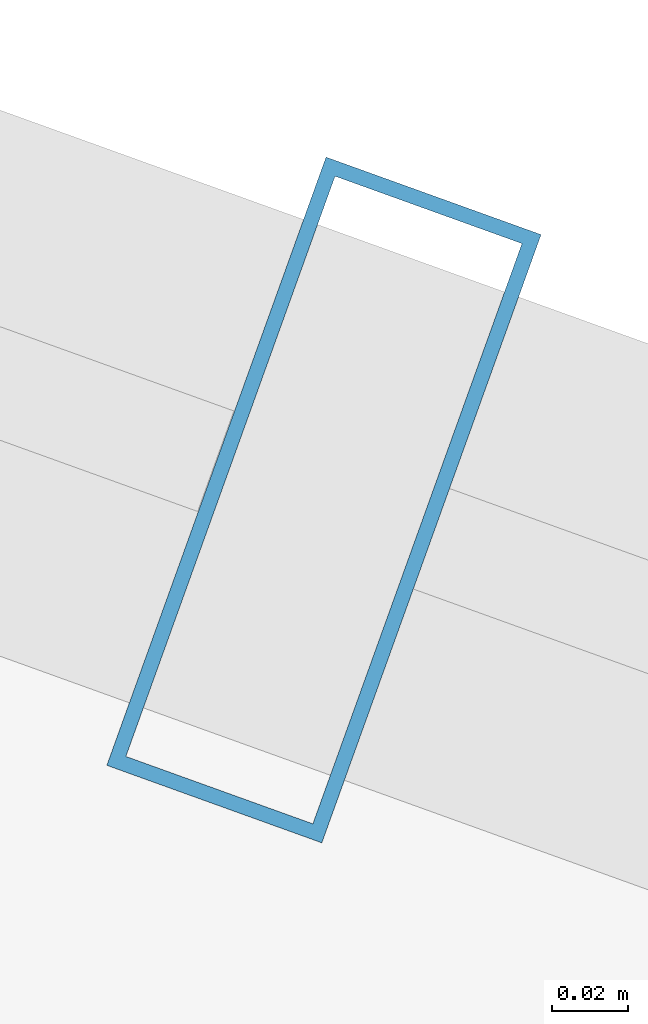
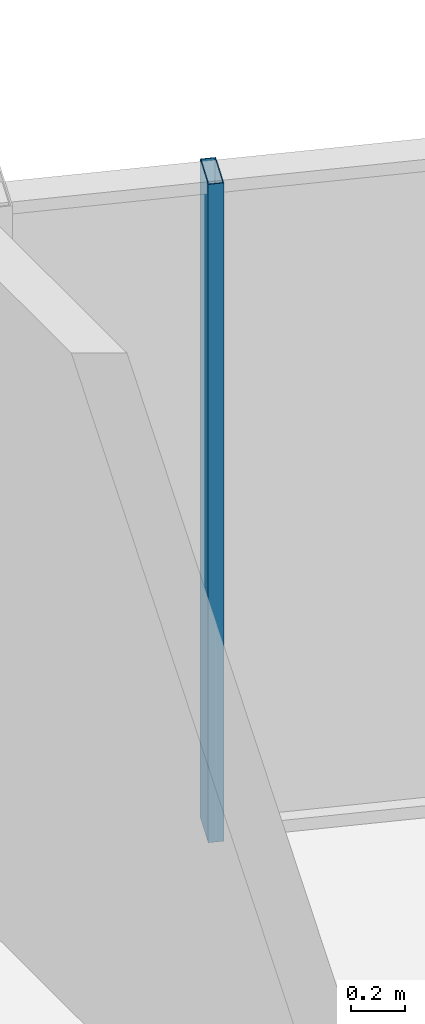
# One storey, part 27 of 36: 1 member, 1 element without a shape of its own.
"""IFC4 building model written with IfcOpenShell, lengths in metres."""

from ifc_helpers import new_model, si_unit, direction, frame, origin, origin_2d, place, context, subcontext, project, spatial, hollow_rectangle, extrude, source, transform, mapped, material, layer, layer_set, material_profile, profile_set, type_object, element, aggregate, save


model = new_model("IFC4")

# Units and contexts
model_context = context("Model", 3, precision=1e-05, world=origin(), true_north=direction((0.0, 1.0)))
body_context = subcontext(model_context, "Body", "Model", "MODEL_VIEW")
ifc_project = project(units=[si_unit("LENGTHUNIT", "METRE"), si_unit("AREAUNIT", "SQUARE_METRE"), si_unit("VOLUMEUNIT", "CUBIC_METRE"), si_unit("PLANEANGLEUNIT", "RADIAN"), si_unit("MASSUNIT", "GRAM", prefix="KILO")], contexts=[model_context])

# Site, building, storey
site_placement = place(None, origin())
site = spatial("IfcSite", under=ifc_project, at=site_placement, CompositionType="ELEMENT")
building_placement = place(site_placement, origin())
building = spatial("IfcBuilding", under=site, at=building_placement, Name="Veraguas Prism Commons", CompositionType="ELEMENT")
storey_placement = place(building_placement, frame((0.0, 0.0, 163.050048828125)))
storey = spatial("IfcBuildingStorey", under=building, at=storey_placement, Name="L46", CompositionType="ELEMENT", Elevation=163.050048828125)

# Curtain wall, member
ifc_material = material(Name="Anodised aluminium EN AW-6063 T6", Category="aluminium")
ifc_layer = layer(ifc_material, 0.169921875, Name="Unitised Flush Curtain Wall Zone 2", Category="aluminium")
ifc_layer_set = layer_set([ifc_layer], Name="Anodised aluminium EN AW-6063 T6")
curtain_wall_type = type_object("IfcCurtainWallType", Name="Unitised Flush Curtain Wall Zone 2", PredefinedType="NOTDEFINED", material=ifc_layer_set)
curtain_wall_placement = place(storey_placement, origin())
curtain_wall = element("IfcCurtainWall", 1, at=curtain_wall_placement, inside=storey, type_object=curtain_wall_type, Name="Tower Facade Curtain Wall L46-F1", PredefinedType="NOTDEFINED")
ifc_material_profile = material_profile(ifc_material, hollow_rectangle(XDim=0.06005859375, YDim=0.169921875, WallThickness=0.00390625, at=origin_2d()), Name="AL60X170X4")
ifc_profile_set = profile_set([ifc_material_profile], Name="Anodised aluminium EN AW-6063 T6")
member_type = type_object("IfcMemberType", Name="Curtain Wall Mullion Lower AL 60x170x4", PredefinedType="MULLION", material=ifc_profile_set)
shared_shape = source(origin(), body_context, "Body", "SweptSolid", [
    extrude(hollow_rectangle(XDim=0.06005859375, YDim=0.169921875, WallThickness=0.00390625, at=origin_2d()), origin(), (0.0, 0.0, 1.0), 3.0),
])
member_placement = place(storey_placement, frame((34.5576171875, 40.585205078125, 0.0), z_axis=(0.0, 0.0, 1.0), x_axis=(-0.940760694435, 0.339071254763, 0.0)))
member = element("IfcMember", 2, at=member_placement, type_object=member_type, Name="CW-Z2 Mullion 2", PredefinedType="MULLION", context=body_context, shape_type="MappedRepresentation", body=[
    mapped(shared_shape, transform((0.0, 0.0, 0.0), scale=1.0)),
])
aggregate(curtain_wall, [member])

save(model, "model.ifc")
